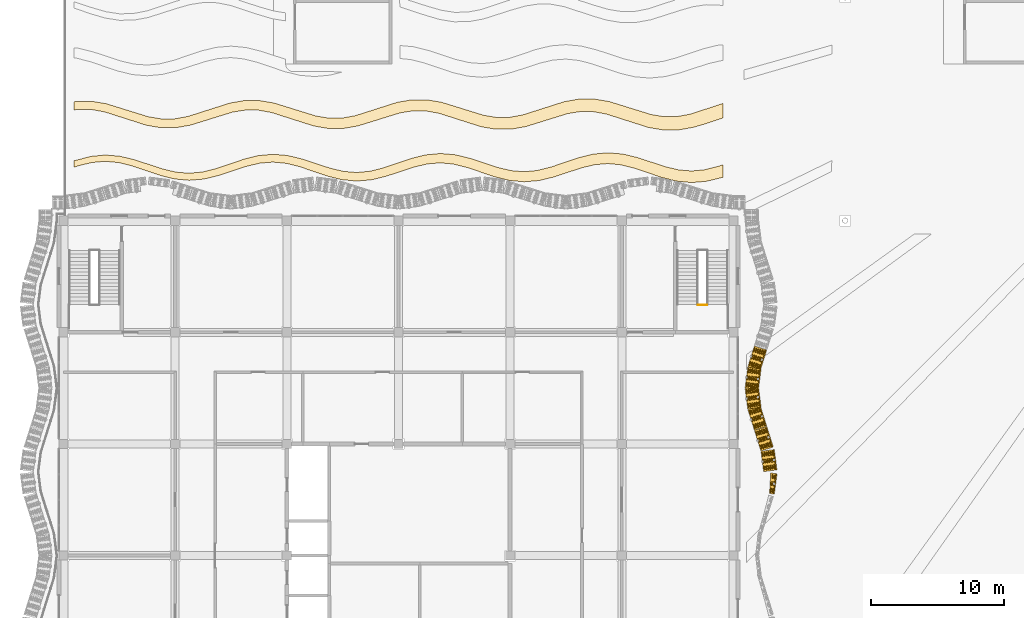
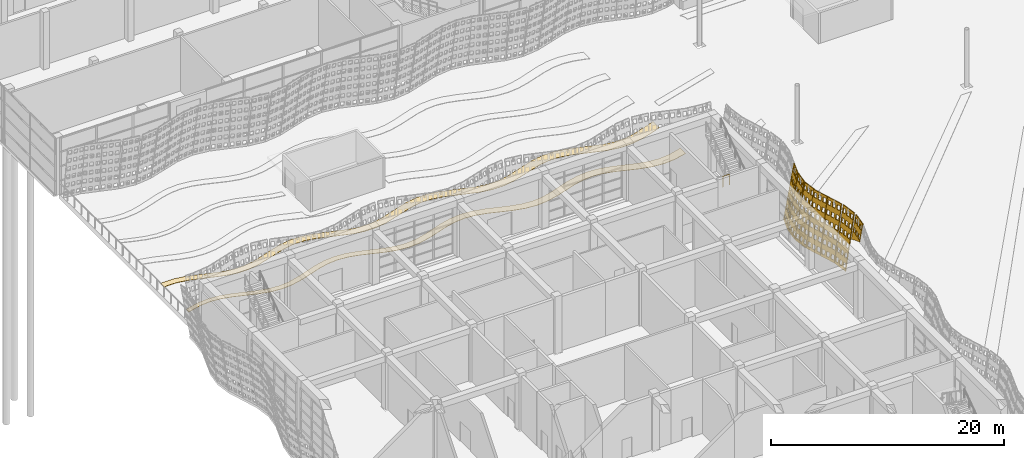
# One storey, part 161 of 210: 9 coverings, 1 railing.
"""IFC4 building model written with IfcOpenShell, lengths in metres."""

from ifc_helpers import new_model, si_unit, direction, frame, origin, origin_2d, place, context, subcontext, project, spatial, polyline, circle, outline, extrude, material, layer, layer_set, type_object, element, save


model = new_model("IFC4")

# Units and contexts
model_context = context("Model", 3, precision=1e-05, world=origin(), true_north=direction((0.0, 1.0)))
body_context = subcontext(model_context, "Body", "Model", "MODEL_VIEW")
ifc_project = project(units=[si_unit("LENGTHUNIT", "METRE"), si_unit("AREAUNIT", "SQUARE_METRE"), si_unit("VOLUMEUNIT", "CUBIC_METRE"), si_unit("PLANEANGLEUNIT", "RADIAN"), si_unit("MASSUNIT", "GRAM", prefix="KILO")], contexts=[model_context])

# Site, building, storey
site_placement = place(None, origin())
site = spatial("IfcSite", under=ifc_project, at=site_placement, CompositionType="ELEMENT")
building_placement = place(site_placement, origin())
building = spatial("IfcBuilding", under=site, at=building_placement, Name="Rain Tree Exposition and Congress Centre", CompositionType="ELEMENT")
storey_placement = place(building_placement, origin())
storey = spatial("IfcBuildingStorey", under=building, at=storey_placement, Name="L00", CompositionType="ELEMENT", Elevation=0.0)

# Coverings
ifc_material_1 = material(Name="Granite paving", Category="masonry")
ifc_layer_1 = layer(ifc_material_1, 0.030029296875)
ifc_layer_set_1 = layer_set([ifc_layer_1], Name="Granite paving")
covering_type_1 = type_object("IfcCoveringType", Name="Granite paving inlay 30", PredefinedType="FLOORING", material=ifc_layer_set_1)
covering_1_placement = place(storey_placement, origin())
element("IfcCovering", 1, at=covering_1_placement, inside=storey, type_object=covering_type_1, Name="Granite paving inlay 29", PredefinedType="FLOORING", context=body_context, shape_type="SweptSolid", body=[
    extrude(outline(polyline([(2.0615234375, 55.2373046875), (0.800048828125, 54.90771484375), (0.800048828125, 54.42626953125), (1.11376953125, 54.529296875), (2.138427734375, 54.77490234375), (3.14990234375, 54.86083984375), (4.159912109375, 54.765869140625), (5.18115234375, 54.51123046875), (7.278564453125, 53.80224609375), (8.356689453125, 53.534912109375), (9.449951171875, 53.432861328125), (10.544677734375, 53.525634765625), (11.626708984375, 53.7841796875), (13.729248046875, 54.475341796875), (14.747802734375, 54.719482421875), (15.75, 54.8046875), (16.750732421875, 54.710205078125), (17.765380859375, 54.457275390625), (19.86279296875, 53.748291015625), (20.947509765625, 53.4794921875), (22.050048828125, 53.376708984375), (23.15380859375, 53.47021484375), (24.2421875, 53.730224609375), (26.344970703125, 54.421142578125), (27.35693359375, 54.6640625), (28.35009765625, 54.748291015625), (29.34130859375, 54.65478515625), (30.349853515625, 54.4033203125), (32.447265625, 53.694091796875), (33.538330078125, 53.423828125), (34.64990234375, 53.3203125), (35.76318359375, 53.41455078125), (36.85791015625, 53.67626953125), (38.96044921875, 54.3671875), (39.96630859375, 54.608642578125), (40.949951171875, 54.692138671875), (41.93212890625, 54.599365234375), (42.934326171875, 54.34912109375), (45.03173828125, 53.64013671875), (46.129150390625, 53.368408203125), (47.25, 53.26416015625), (48.372314453125, 53.359130859375), (49.60009765625, 53.663818359375), (49.60009765625, 54.604248046875), (49.2265625, 54.477783203125), (48.2275390625, 54.228515625), (47.25, 54.135986328125), (46.27099609375, 54.21923828125), (45.268310546875, 54.459716796875), (43.165771484375, 55.15087890625), (42.06787109375, 55.4130859375), (40.949951171875, 55.5078125), (39.833740234375, 55.40380859375), (38.739501953125, 55.1328125), (36.64208984375, 54.423828125), (35.63671875, 54.1728515625), (34.64990234375, 54.07958984375), (33.66162109375, 54.163818359375), (32.652587890625, 54.40576171875), (30.550048828125, 55.0966796875), (29.45849609375, 55.357666015625), (28.35009765625, 55.45166015625), (27.242919921875, 55.348388671875), (26.155029296875, 55.078857421875), (24.0576171875, 54.369873046875), (23.046142578125, 54.117431640625), (22.050048828125, 54.0234375), (21.052490234375, 54.108154296875), (20.037109375, 54.351806640625), (17.9345703125, 55.042724609375), (16.849365234375, 55.302001953125), (15.75, 55.395263671875), (14.652099609375, 55.29296875), (13.57080078125, 55.024658203125), (11.473388671875, 54.315673828125), (10.455322265625, 54.06201171875), (9.449951171875, 53.96728515625), (8.443115234375, 54.052734375), (7.42138671875, 54.297607421875), (5.31884765625, 54.98876953125), (4.239990234375, 55.24658203125), (3.14990234375, 55.339111328125), (2.0615234375, 55.2373046875)])), origin(), (0.0, 0.0, 1.0), 0.030029296875),
])
covering_2_placement = place(storey_placement, origin())
element("IfcCovering", 2, at=covering_2_placement, inside=storey, type_object=covering_type_1, Name="Granite paving inlay 30", PredefinedType="FLOORING", context=body_context, shape_type="SweptSolid", body=[
    extrude(outline(polyline([(2.1279296875, 59.381591796875), (1.025146484375, 59.38232421875), (0.800048828125, 59.34375), (0.800048828125, 58.729736328125), (1.07470703125, 58.77490234375), (2.072021484375, 58.765380859375), (3.076904296875, 58.582275390625), (6.225830078125, 57.578125), (7.322998046875, 57.3896484375), (8.4306640625, 57.390380859375), (9.529541015625, 57.57958984375), (12.6806640625, 58.55517578125), (13.67919921875, 58.718994140625), (14.6669921875, 58.709228515625), (15.663818359375, 58.527587890625), (18.81298828125, 57.5234375), (19.91845703125, 57.33349609375), (21.03564453125, 57.33447265625), (22.142578125, 57.52490234375), (25.293212890625, 58.500244140625), (26.283935546875, 58.662841796875), (27.26171875, 58.6533203125), (28.250732421875, 58.472900390625), (31.400390625, 57.468505859375), (32.513916015625, 57.27734375), (33.640869140625, 57.2783203125), (34.755615234375, 57.47021484375), (37.906005859375, 58.445556640625), (38.888427734375, 58.60693359375), (39.856689453125, 58.597412109375), (40.837646484375, 58.418212890625), (43.987548828125, 57.413818359375), (45.109130859375, 57.221435546875), (46.245849609375, 57.222412109375), (47.368896484375, 57.415283203125), (48.45849609375, 57.738037109375), (49.60009765625, 58.1220703125), (49.60009765625, 59.209716796875), (47.131103515625, 58.4091796875), (46.154052734375, 58.230712890625), (45.19091796875, 58.22119140625), (44.21240234375, 58.3818359375), (41.062255859375, 59.357421875), (39.943359375, 59.549560546875), (38.8115234375, 59.550537109375), (37.694091796875, 59.358642578125), (34.544189453125, 58.3544921875), (33.55908203125, 58.1748046875), (32.586181640625, 58.1650390625), (31.599609375, 58.3271484375), (28.44921875, 59.302490234375), (27.338134765625, 59.49365234375), (26.216064453125, 59.494384765625), (25.106689453125, 59.303955078125), (21.957275390625, 58.2998046875), (20.96435546875, 58.11865234375), (19.981689453125, 58.109130859375), (18.987060546875, 58.272216796875), (15.836181640625, 59.247802734375), (14.733154296875, 59.4375), (13.62060546875, 59.4384765625), (12.519287109375, 59.249267578125), (9.370361328125, 58.2451171875), (8.369384765625, 58.062744140625), (7.377197265625, 58.052978515625), (6.374267578125, 58.217529296875), (3.222900390625, 59.193115234375), (2.1279296875, 59.381591796875)])), origin(), (0.0, 0.0, 1.0), 0.030029296875),
])
ifc_material_2 = material(Name="Perforated terracotta", Category="masonry")
ifc_layer_2 = layer(ifc_material_2, 0.080078125)
ifc_layer_set_2 = layer_set([ifc_layer_2], Name="Perforated terracotta")
covering_type_2 = type_object("IfcCoveringType", Name="Terracotta screen 80", PredefinedType="CLADDING", material=ifc_layer_set_2)
covering_3_placement = place(storey_placement, frame((52.544921875, 29.925048828125, 0.0), z_axis=(-0.978391994594, 0.12841394929, 0.162046174105), x_axis=(-0.130133906157, -0.991496427865, 0.0)))
element("IfcCovering", 3, at=covering_3_placement, inside=storey, type_object=covering_type_2, Name="wing/screen/L00/054", PredefinedType="CLADDING", context=body_context, shape_type="SweptSolid", body=[
    extrude(outline(polyline([(-1.56298828125, 5.813720703125), (-0.02197265625, 5.813720703125), (-0.02197265625, 3.981689453125), (-0.794189453125, 3.66064453125), (-1.56298828125, 3.280517578125), (-1.56298828125, 5.813720703125)]), holes=[polyline([(-0.11962890625, 4.125732421875), (-0.11962890625, 4.594482421875), (-0.43798828125, 4.594482421875), (-0.43798828125, 4.125732421875), (-0.11962890625, 4.125732421875)]), polyline([(-0.11962890625, 5.0947265625), (-0.11962890625, 5.5634765625), (-0.43798828125, 5.5634765625), (-0.43798828125, 5.0947265625), (-0.11962890625, 5.0947265625)]), polyline([(-0.63330078125, 4.125732421875), (-0.63330078125, 4.594482421875), (-0.95166015625, 4.594482421875), (-0.95166015625, 4.125732421875), (-0.63330078125, 4.125732421875)]), polyline([(-0.63330078125, 5.0947265625), (-0.63330078125, 5.5634765625), (-0.95166015625, 5.5634765625), (-0.95166015625, 5.0947265625), (-0.63330078125, 5.0947265625)]), polyline([(-1.146728515625, 4.125732421875), (-1.146728515625, 4.594482421875), (-1.46533203125, 4.594482421875), (-1.46533203125, 4.125732421875), (-1.146728515625, 4.125732421875)]), polyline([(-1.146728515625, 5.0947265625), (-1.146728515625, 5.5634765625), (-1.46533203125, 5.5634765625), (-1.46533203125, 5.0947265625), (-1.146728515625, 5.0947265625)])]), origin(), (0.0, 0.0, 1.0), 0.079833984375),
])
covering_4_placement = place(storey_placement, frame((52.75, 31.5, 0.0), z_axis=(-0.978522114732, -0.1280309309, 0.161562841373), x_axis=(0.129735338481, -0.991548658387, 0.0)))
element("IfcCovering", 4, at=covering_4_placement, inside=storey, type_object=covering_type_2, Name="wing/screen/L00/055", PredefinedType="CLADDING", context=body_context, shape_type="SweptSolid", body=[
    extrude(outline(polyline([(-0.025390625, 5.813720703125), (-0.025390625, 0.0), (-1.56640625, 0.0), (-1.56640625, 5.813720703125), (-0.025390625, 5.813720703125)]), holes=[polyline([(-0.123046875, 0.25), (-0.123046875, 0.718994140625), (-0.44140625, 0.718994140625), (-0.44140625, 0.25), (-0.123046875, 0.25)]), polyline([(-0.123046875, 1.218994140625), (-0.123046875, 1.687744140625), (-0.44140625, 1.687744140625), (-0.44140625, 1.218994140625), (-0.123046875, 1.218994140625)]), polyline([(-0.123046875, 2.18798828125), (-0.123046875, 2.65673828125), (-0.44140625, 2.65673828125), (-0.44140625, 2.18798828125), (-0.123046875, 2.18798828125)]), polyline([(-0.123046875, 3.15673828125), (-0.123046875, 3.625732421875), (-0.44140625, 3.625732421875), (-0.44140625, 3.15673828125), (-0.123046875, 3.15673828125)]), polyline([(-0.123046875, 4.125732421875), (-0.123046875, 4.594482421875), (-0.44140625, 4.594482421875), (-0.44140625, 4.125732421875), (-0.123046875, 4.125732421875)]), polyline([(-0.123046875, 5.0947265625), (-0.123046875, 5.5634765625), (-0.44140625, 5.5634765625), (-0.44140625, 5.0947265625), (-0.123046875, 5.0947265625)]), polyline([(-0.63671875, 0.25), (-0.63671875, 0.718994140625), (-0.955078125, 0.718994140625), (-0.955078125, 0.25), (-0.63671875, 0.25)]), polyline([(-0.63671875, 1.218994140625), (-0.63671875, 1.687744140625), (-0.955078125, 1.687744140625), (-0.955078125, 1.218994140625), (-0.63671875, 1.218994140625)]), polyline([(-0.63671875, 2.18798828125), (-0.63671875, 2.65673828125), (-0.955078125, 2.65673828125), (-0.955078125, 2.18798828125), (-0.63671875, 2.18798828125)]), polyline([(-0.63671875, 3.15673828125), (-0.63671875, 3.625732421875), (-0.955078125, 3.625732421875), (-0.955078125, 3.15673828125), (-0.63671875, 3.15673828125)]), polyline([(-0.63671875, 4.125732421875), (-0.63671875, 4.594482421875), (-0.955078125, 4.594482421875), (-0.955078125, 4.125732421875), (-0.63671875, 4.125732421875)]), polyline([(-0.63671875, 5.0947265625), (-0.63671875, 5.5634765625), (-0.955078125, 5.5634765625), (-0.955078125, 5.0947265625), (-0.63671875, 5.0947265625)]), polyline([(-1.150146484375, 0.25), (-1.150146484375, 0.718994140625), (-1.46875, 0.718994140625), (-1.46875, 0.25), (-1.150146484375, 0.25)]), polyline([(-1.150146484375, 1.218994140625), (-1.150146484375, 1.687744140625), (-1.46875, 1.687744140625), (-1.46875, 1.218994140625), (-1.150146484375, 1.218994140625)]), polyline([(-1.150146484375, 2.18798828125), (-1.150146484375, 2.65673828125), (-1.46875, 2.65673828125), (-1.46875, 2.18798828125), (-1.150146484375, 2.18798828125)]), polyline([(-1.150146484375, 3.15673828125), (-1.150146484375, 3.625732421875), (-1.46875, 3.625732421875), (-1.46875, 3.15673828125), (-1.150146484375, 3.15673828125)]), polyline([(-1.150146484375, 4.125732421875), (-1.150146484375, 4.594482421875), (-1.46875, 4.594482421875), (-1.46875, 4.125732421875), (-1.150146484375, 4.125732421875)]), polyline([(-1.150146484375, 5.0947265625), (-1.150146484375, 5.5634765625), (-1.46875, 5.5634765625), (-1.46875, 5.0947265625), (-1.150146484375, 5.0947265625)])]), origin(), (0.0, 0.0, 1.0), 0.080078125),
])
covering_5_placement = place(storey_placement, frame((52.544921875, 33.074951171875, 0.0), z_axis=(-0.942480618158, -0.295859611525, 0.155555053482), x_axis=(0.29950542383, -0.954094597562, 0.0)))
element("IfcCovering", 5, at=covering_5_placement, inside=storey, type_object=covering_type_2, Name="wing/screen/L00/056", PredefinedType="CLADDING", context=body_context, shape_type="SweptSolid", body=[
    extrude(outline(polyline([(-0.02197265625, 5.808349609375), (-0.02197265625, 0.0), (-1.635986328125, 0.0), (-1.635986328125, 5.808349609375), (-0.02197265625, 5.808349609375)]), holes=[polyline([(-0.124267578125, 0.249755859375), (-0.124267578125, 0.71826171875), (-0.457763671875, 0.71826171875), (-0.457763671875, 0.249755859375), (-0.124267578125, 0.249755859375)]), polyline([(-0.124267578125, 1.218017578125), (-0.124267578125, 1.686279296875), (-0.457763671875, 1.686279296875), (-0.457763671875, 1.218017578125), (-0.124267578125, 1.218017578125)]), polyline([(-0.124267578125, 2.18603515625), (-0.124267578125, 2.654296875), (-0.457763671875, 2.654296875), (-0.457763671875, 2.18603515625), (-0.124267578125, 2.18603515625)]), polyline([(-0.124267578125, 3.154052734375), (-0.124267578125, 3.62255859375), (-0.457763671875, 3.62255859375), (-0.457763671875, 3.154052734375), (-0.124267578125, 3.154052734375)]), polyline([(-0.124267578125, 4.1220703125), (-0.124267578125, 4.590576171875), (-0.457763671875, 4.590576171875), (-0.457763671875, 4.1220703125), (-0.124267578125, 4.1220703125)]), polyline([(-0.124267578125, 5.090087890625), (-0.124267578125, 5.55859375), (-0.457763671875, 5.55859375), (-0.457763671875, 5.090087890625), (-0.124267578125, 5.090087890625)]), polyline([(-0.662109375, 0.249755859375), (-0.662109375, 0.71826171875), (-0.995849609375, 0.71826171875), (-0.995849609375, 0.249755859375), (-0.662109375, 0.249755859375)]), polyline([(-0.662109375, 1.218017578125), (-0.662109375, 1.686279296875), (-0.995849609375, 1.686279296875), (-0.995849609375, 1.218017578125), (-0.662109375, 1.218017578125)]), polyline([(-0.662109375, 2.18603515625), (-0.662109375, 2.654296875), (-0.995849609375, 2.654296875), (-0.995849609375, 2.18603515625), (-0.662109375, 2.18603515625)]), polyline([(-0.662109375, 3.154052734375), (-0.662109375, 3.62255859375), (-0.995849609375, 3.62255859375), (-0.995849609375, 3.154052734375), (-0.662109375, 3.154052734375)]), polyline([(-0.662109375, 4.1220703125), (-0.662109375, 4.590576171875), (-0.995849609375, 4.590576171875), (-0.995849609375, 4.1220703125), (-0.662109375, 4.1220703125)]), polyline([(-0.662109375, 5.090087890625), (-0.662109375, 5.55859375), (-0.995849609375, 5.55859375), (-0.995849609375, 5.090087890625), (-0.662109375, 5.090087890625)]), polyline([(-1.2001953125, 0.249755859375), (-1.2001953125, 0.71826171875), (-1.53369140625, 0.71826171875), (-1.53369140625, 0.249755859375), (-1.2001953125, 0.249755859375)]), polyline([(-1.2001953125, 1.218017578125), (-1.2001953125, 1.686279296875), (-1.53369140625, 1.686279296875), (-1.53369140625, 1.218017578125), (-1.2001953125, 1.218017578125)]), polyline([(-1.2001953125, 2.18603515625), (-1.2001953125, 2.654296875), (-1.53369140625, 2.654296875), (-1.53369140625, 2.18603515625), (-1.2001953125, 2.18603515625)]), polyline([(-1.2001953125, 3.154052734375), (-1.2001953125, 3.62255859375), (-1.53369140625, 3.62255859375), (-1.53369140625, 3.154052734375), (-1.2001953125, 3.154052734375)]), polyline([(-1.2001953125, 4.1220703125), (-1.2001953125, 4.590576171875), (-1.53369140625, 4.590576171875), (-1.53369140625, 4.1220703125), (-1.2001953125, 4.1220703125)]), polyline([(-1.2001953125, 5.090087890625), (-1.2001953125, 5.55859375), (-1.53369140625, 5.55859375), (-1.53369140625, 5.090087890625), (-1.2001953125, 5.090087890625)])]), origin(), (0.0, 0.0, 1.0), 0.080078125),
])
covering_6_placement = place(storey_placement, frame((52.050048828125, 34.64990234375, 0.0), z_axis=(-0.942480618158, -0.295859611525, 0.155555053482), x_axis=(0.29950542383, -0.954094597562, 0.0)))
element("IfcCovering", 6, at=covering_6_placement, inside=storey, type_object=covering_type_2, Name="wing/screen/L00/057", PredefinedType="CLADDING", context=body_context, shape_type="SweptSolid", body=[
    extrude(outline(polyline([(-0.014892578125, 5.808349609375), (-0.014892578125, 0.0), (-1.635986328125, 0.0), (-1.635986328125, 5.808349609375), (-0.014892578125, 5.808349609375)]), holes=[polyline([(-0.11767578125, 0.249755859375), (-0.11767578125, 0.71826171875), (-0.45263671875, 0.71826171875), (-0.45263671875, 0.249755859375), (-0.11767578125, 0.249755859375)]), polyline([(-0.11767578125, 1.218017578125), (-0.11767578125, 1.686279296875), (-0.45263671875, 1.686279296875), (-0.45263671875, 1.218017578125), (-0.11767578125, 1.218017578125)]), polyline([(-0.11767578125, 2.18603515625), (-0.11767578125, 2.654296875), (-0.45263671875, 2.654296875), (-0.45263671875, 2.18603515625), (-0.11767578125, 2.18603515625)]), polyline([(-0.11767578125, 3.154052734375), (-0.11767578125, 3.62255859375), (-0.45263671875, 3.62255859375), (-0.45263671875, 3.154052734375), (-0.11767578125, 3.154052734375)]), polyline([(-0.11767578125, 4.1220703125), (-0.11767578125, 4.590576171875), (-0.45263671875, 4.590576171875), (-0.45263671875, 4.1220703125), (-0.11767578125, 4.1220703125)]), polyline([(-0.11767578125, 5.090087890625), (-0.11767578125, 5.55859375), (-0.45263671875, 5.55859375), (-0.45263671875, 5.090087890625), (-0.11767578125, 5.090087890625)]), polyline([(-0.657958984375, 0.249755859375), (-0.657958984375, 0.71826171875), (-0.992919921875, 0.71826171875), (-0.992919921875, 0.249755859375), (-0.657958984375, 0.249755859375)]), polyline([(-0.657958984375, 1.218017578125), (-0.657958984375, 1.686279296875), (-0.992919921875, 1.686279296875), (-0.992919921875, 1.218017578125), (-0.657958984375, 1.218017578125)]), polyline([(-0.657958984375, 2.18603515625), (-0.657958984375, 2.654296875), (-0.992919921875, 2.654296875), (-0.992919921875, 2.18603515625), (-0.657958984375, 2.18603515625)]), polyline([(-0.657958984375, 3.154052734375), (-0.657958984375, 3.62255859375), (-0.992919921875, 3.62255859375), (-0.992919921875, 3.154052734375), (-0.657958984375, 3.154052734375)]), polyline([(-0.657958984375, 4.1220703125), (-0.657958984375, 4.590576171875), (-0.992919921875, 4.590576171875), (-0.992919921875, 4.1220703125), (-0.657958984375, 4.1220703125)]), polyline([(-0.657958984375, 5.090087890625), (-0.657958984375, 5.55859375), (-0.992919921875, 5.55859375), (-0.992919921875, 5.090087890625), (-0.657958984375, 5.090087890625)]), polyline([(-1.1982421875, 0.249755859375), (-1.1982421875, 0.71826171875), (-1.533203125, 0.71826171875), (-1.533203125, 0.249755859375), (-1.1982421875, 0.249755859375)]), polyline([(-1.1982421875, 1.218017578125), (-1.1982421875, 1.686279296875), (-1.533203125, 1.686279296875), (-1.533203125, 1.218017578125), (-1.1982421875, 1.218017578125)]), polyline([(-1.1982421875, 2.18603515625), (-1.1982421875, 2.654296875), (-1.533203125, 2.654296875), (-1.533203125, 2.18603515625), (-1.1982421875, 2.18603515625)]), polyline([(-1.1982421875, 3.154052734375), (-1.1982421875, 3.62255859375), (-1.533203125, 3.62255859375), (-1.533203125, 3.154052734375), (-1.1982421875, 3.154052734375)]), polyline([(-1.1982421875, 4.1220703125), (-1.1982421875, 4.590576171875), (-1.533203125, 4.590576171875), (-1.533203125, 4.1220703125), (-1.1982421875, 4.1220703125)]), polyline([(-1.1982421875, 5.090087890625), (-1.1982421875, 5.55859375), (-1.533203125, 5.55859375), (-1.533203125, 5.090087890625), (-1.1982421875, 5.090087890625)])]), origin(), (0.0, 0.0, 1.0), 0.080078125),
])
covering_7_placement = place(storey_placement, frame((51.554931640625, 36.22509765625, 0.0), z_axis=(-0.978391994594, -0.12841394929, 0.162046174105), x_axis=(0.130133906157, -0.991496427865, 0.0)))
element("IfcCovering", 7, at=covering_7_placement, inside=storey, type_object=covering_type_2, Name="wing/screen/L00/058", PredefinedType="CLADDING", context=body_context, shape_type="SweptSolid", body=[
    extrude(outline(polyline([(-0.014892578125, 5.813720703125), (-0.014892578125, 0.0), (-1.5732421875, 0.0), (-1.5732421875, 5.813720703125), (-0.014892578125, 5.813720703125)]), holes=[polyline([(-0.11376953125, 0.25), (-0.11376953125, 0.718994140625), (-0.435791015625, 0.718994140625), (-0.435791015625, 0.25), (-0.11376953125, 0.25)]), polyline([(-0.11376953125, 1.218994140625), (-0.11376953125, 1.687744140625), (-0.435791015625, 1.687744140625), (-0.435791015625, 1.218994140625), (-0.11376953125, 1.218994140625)]), polyline([(-0.11376953125, 2.18798828125), (-0.11376953125, 2.65673828125), (-0.435791015625, 2.65673828125), (-0.435791015625, 2.18798828125), (-0.11376953125, 2.18798828125)]), polyline([(-0.11376953125, 3.15673828125), (-0.11376953125, 3.625732421875), (-0.435791015625, 3.625732421875), (-0.435791015625, 3.15673828125), (-0.11376953125, 3.15673828125)]), polyline([(-0.11376953125, 4.125732421875), (-0.11376953125, 4.594482421875), (-0.435791015625, 4.594482421875), (-0.435791015625, 4.125732421875), (-0.11376953125, 4.125732421875)]), polyline([(-0.11376953125, 5.0947265625), (-0.11376953125, 5.5634765625), (-0.435791015625, 5.5634765625), (-0.435791015625, 5.0947265625), (-0.11376953125, 5.0947265625)]), polyline([(-0.633056640625, 0.25), (-0.633056640625, 0.718994140625), (-0.955078125, 0.718994140625), (-0.955078125, 0.25), (-0.633056640625, 0.25)]), polyline([(-0.633056640625, 1.218994140625), (-0.633056640625, 1.687744140625), (-0.955078125, 1.687744140625), (-0.955078125, 1.218994140625), (-0.633056640625, 1.218994140625)]), polyline([(-0.633056640625, 2.18798828125), (-0.633056640625, 2.65673828125), (-0.955078125, 2.65673828125), (-0.955078125, 2.18798828125), (-0.633056640625, 2.18798828125)]), polyline([(-0.633056640625, 3.15673828125), (-0.633056640625, 3.625732421875), (-0.955078125, 3.625732421875), (-0.955078125, 3.15673828125), (-0.633056640625, 3.15673828125)]), polyline([(-0.633056640625, 4.125732421875), (-0.633056640625, 4.594482421875), (-0.955078125, 4.594482421875), (-0.955078125, 4.125732421875), (-0.633056640625, 4.125732421875)]), polyline([(-0.633056640625, 5.0947265625), (-0.633056640625, 5.5634765625), (-0.955078125, 5.5634765625), (-0.955078125, 5.0947265625), (-0.633056640625, 5.0947265625)]), polyline([(-1.152587890625, 0.25), (-1.152587890625, 0.718994140625), (-1.474609375, 0.718994140625), (-1.474609375, 0.25), (-1.152587890625, 0.25)]), polyline([(-1.152587890625, 1.218994140625), (-1.152587890625, 1.687744140625), (-1.474609375, 1.687744140625), (-1.474609375, 1.218994140625), (-1.152587890625, 1.218994140625)]), polyline([(-1.152587890625, 2.18798828125), (-1.152587890625, 2.65673828125), (-1.474609375, 2.65673828125), (-1.474609375, 2.18798828125), (-1.152587890625, 2.18798828125)]), polyline([(-1.152587890625, 3.15673828125), (-1.152587890625, 3.625732421875), (-1.474609375, 3.625732421875), (-1.474609375, 3.15673828125), (-1.152587890625, 3.15673828125)]), polyline([(-1.152587890625, 4.125732421875), (-1.152587890625, 4.594482421875), (-1.474609375, 4.594482421875), (-1.474609375, 4.125732421875), (-1.152587890625, 4.125732421875)]), polyline([(-1.152587890625, 5.0947265625), (-1.152587890625, 5.5634765625), (-1.474609375, 5.5634765625), (-1.474609375, 5.0947265625), (-1.152587890625, 5.0947265625)])]), origin(), (0.0, 0.0, 1.0), 0.079833984375),
])
covering_8_placement = place(storey_placement, frame((51.35009765625, 37.800048828125, 0.0), z_axis=(-0.978522114732, 0.1280309309, 0.161562841373), x_axis=(-0.129735338481, -0.991548658387, 0.0)))
element("IfcCovering", 8, at=covering_8_placement, inside=storey, type_object=covering_type_2, Name="wing/screen/L00/059", PredefinedType="CLADDING", context=body_context, shape_type="SweptSolid", body=[
    extrude(outline(polyline([(-0.014892578125, 5.813720703125), (-0.014892578125, 0.0), (-1.5732421875, 0.0), (-1.5732421875, 5.813720703125), (-0.014892578125, 5.813720703125)]), holes=[polyline([(-0.11376953125, 0.25), (-0.11376953125, 0.718994140625), (-0.435791015625, 0.718994140625), (-0.435791015625, 0.25), (-0.11376953125, 0.25)]), polyline([(-0.11376953125, 1.218994140625), (-0.11376953125, 1.687744140625), (-0.435791015625, 1.687744140625), (-0.435791015625, 1.218994140625), (-0.11376953125, 1.218994140625)]), polyline([(-0.11376953125, 2.18798828125), (-0.11376953125, 2.65673828125), (-0.435791015625, 2.65673828125), (-0.435791015625, 2.18798828125), (-0.11376953125, 2.18798828125)]), polyline([(-0.11376953125, 3.15673828125), (-0.11376953125, 3.625732421875), (-0.435791015625, 3.625732421875), (-0.435791015625, 3.15673828125), (-0.11376953125, 3.15673828125)]), polyline([(-0.11376953125, 4.125732421875), (-0.11376953125, 4.594482421875), (-0.435791015625, 4.594482421875), (-0.435791015625, 4.125732421875), (-0.11376953125, 4.125732421875)]), polyline([(-0.11376953125, 5.0947265625), (-0.11376953125, 5.5634765625), (-0.435791015625, 5.5634765625), (-0.435791015625, 5.0947265625), (-0.11376953125, 5.0947265625)]), polyline([(-0.633056640625, 0.25), (-0.633056640625, 0.718994140625), (-0.955078125, 0.718994140625), (-0.955078125, 0.25), (-0.633056640625, 0.25)]), polyline([(-0.633056640625, 1.218994140625), (-0.633056640625, 1.687744140625), (-0.955078125, 1.687744140625), (-0.955078125, 1.218994140625), (-0.633056640625, 1.218994140625)]), polyline([(-0.633056640625, 2.18798828125), (-0.633056640625, 2.65673828125), (-0.955078125, 2.65673828125), (-0.955078125, 2.18798828125), (-0.633056640625, 2.18798828125)]), polyline([(-0.633056640625, 3.15673828125), (-0.633056640625, 3.625732421875), (-0.955078125, 3.625732421875), (-0.955078125, 3.15673828125), (-0.633056640625, 3.15673828125)]), polyline([(-0.633056640625, 4.125732421875), (-0.633056640625, 4.594482421875), (-0.955078125, 4.594482421875), (-0.955078125, 4.125732421875), (-0.633056640625, 4.125732421875)]), polyline([(-0.633056640625, 5.0947265625), (-0.633056640625, 5.5634765625), (-0.955078125, 5.5634765625), (-0.955078125, 5.0947265625), (-0.633056640625, 5.0947265625)]), polyline([(-1.152587890625, 0.25), (-1.152587890625, 0.718994140625), (-1.474609375, 0.718994140625), (-1.474609375, 0.25), (-1.152587890625, 0.25)]), polyline([(-1.152587890625, 1.218994140625), (-1.152587890625, 1.687744140625), (-1.474609375, 1.687744140625), (-1.474609375, 1.218994140625), (-1.152587890625, 1.218994140625)]), polyline([(-1.152587890625, 2.18798828125), (-1.152587890625, 2.65673828125), (-1.474609375, 2.65673828125), (-1.474609375, 2.18798828125), (-1.152587890625, 2.18798828125)]), polyline([(-1.152587890625, 3.15673828125), (-1.152587890625, 3.625732421875), (-1.474609375, 3.625732421875), (-1.474609375, 3.15673828125), (-1.152587890625, 3.15673828125)]), polyline([(-1.152587890625, 4.125732421875), (-1.152587890625, 4.594482421875), (-1.474609375, 4.594482421875), (-1.474609375, 4.125732421875), (-1.152587890625, 4.125732421875)]), polyline([(-1.152587890625, 5.0947265625), (-1.152587890625, 5.5634765625), (-1.474609375, 5.5634765625), (-1.474609375, 5.0947265625), (-1.152587890625, 5.0947265625)])]), origin(), (0.0, 0.0, 1.0), 0.080078125),
])
covering_9_placement = place(storey_placement, frame((51.554931640625, 39.375, 0.0), z_axis=(-0.942480618158, 0.295859611525, 0.155555053482), x_axis=(-0.29950542383, -0.954094597562, 0.0)))
element("IfcCovering", 9, at=covering_9_placement, inside=storey, type_object=covering_type_2, Name="wing/screen/L00/060", PredefinedType="CLADDING", context=body_context, shape_type="SweptSolid", body=[
    extrude(outline(polyline([(-0.014892578125, 5.808349609375), (-0.014892578125, 0.0), (-1.635986328125, 0.0), (-1.635986328125, 5.808349609375), (-0.014892578125, 5.808349609375)]), holes=[polyline([(-0.11767578125, 0.249755859375), (-0.11767578125, 0.71826171875), (-0.45263671875, 0.71826171875), (-0.45263671875, 0.249755859375), (-0.11767578125, 0.249755859375)]), polyline([(-0.11767578125, 1.218017578125), (-0.11767578125, 1.686279296875), (-0.45263671875, 1.686279296875), (-0.45263671875, 1.218017578125), (-0.11767578125, 1.218017578125)]), polyline([(-0.11767578125, 2.18603515625), (-0.11767578125, 2.654296875), (-0.45263671875, 2.654296875), (-0.45263671875, 2.18603515625), (-0.11767578125, 2.18603515625)]), polyline([(-0.11767578125, 3.154052734375), (-0.11767578125, 3.62255859375), (-0.45263671875, 3.62255859375), (-0.45263671875, 3.154052734375), (-0.11767578125, 3.154052734375)]), polyline([(-0.11767578125, 4.1220703125), (-0.11767578125, 4.590576171875), (-0.45263671875, 4.590576171875), (-0.45263671875, 4.1220703125), (-0.11767578125, 4.1220703125)]), polyline([(-0.11767578125, 5.090087890625), (-0.11767578125, 5.55859375), (-0.45263671875, 5.55859375), (-0.45263671875, 5.090087890625), (-0.11767578125, 5.090087890625)]), polyline([(-0.657958984375, 0.249755859375), (-0.657958984375, 0.71826171875), (-0.992919921875, 0.71826171875), (-0.992919921875, 0.249755859375), (-0.657958984375, 0.249755859375)]), polyline([(-0.657958984375, 1.218017578125), (-0.657958984375, 1.686279296875), (-0.992919921875, 1.686279296875), (-0.992919921875, 1.218017578125), (-0.657958984375, 1.218017578125)]), polyline([(-0.657958984375, 2.18603515625), (-0.657958984375, 2.654296875), (-0.992919921875, 2.654296875), (-0.992919921875, 2.18603515625), (-0.657958984375, 2.18603515625)]), polyline([(-0.657958984375, 3.154052734375), (-0.657958984375, 3.62255859375), (-0.992919921875, 3.62255859375), (-0.992919921875, 3.154052734375), (-0.657958984375, 3.154052734375)]), polyline([(-0.657958984375, 4.1220703125), (-0.657958984375, 4.590576171875), (-0.992919921875, 4.590576171875), (-0.992919921875, 4.1220703125), (-0.657958984375, 4.1220703125)]), polyline([(-0.657958984375, 5.090087890625), (-0.657958984375, 5.55859375), (-0.992919921875, 5.55859375), (-0.992919921875, 5.090087890625), (-0.657958984375, 5.090087890625)]), polyline([(-1.1982421875, 0.249755859375), (-1.1982421875, 0.71826171875), (-1.533203125, 0.71826171875), (-1.533203125, 0.249755859375), (-1.1982421875, 0.249755859375)]), polyline([(-1.1982421875, 1.218017578125), (-1.1982421875, 1.686279296875), (-1.533203125, 1.686279296875), (-1.533203125, 1.218017578125), (-1.1982421875, 1.218017578125)]), polyline([(-1.1982421875, 2.18603515625), (-1.1982421875, 2.654296875), (-1.533203125, 2.654296875), (-1.533203125, 2.18603515625), (-1.1982421875, 2.18603515625)]), polyline([(-1.1982421875, 3.154052734375), (-1.1982421875, 3.62255859375), (-1.533203125, 3.62255859375), (-1.533203125, 3.154052734375), (-1.1982421875, 3.154052734375)]), polyline([(-1.1982421875, 4.1220703125), (-1.1982421875, 4.590576171875), (-1.533203125, 4.590576171875), (-1.533203125, 4.1220703125), (-1.1982421875, 4.1220703125)]), polyline([(-1.1982421875, 5.090087890625), (-1.1982421875, 5.55859375), (-1.533203125, 5.55859375), (-1.533203125, 5.090087890625), (-1.1982421875, 5.090087890625)])]), origin(), (0.0, 0.0, 1.0), 0.080078125),
])

# Railing
ifc_material_3 = material(Name="Steel S355J2H", Category="steel")
railing_type = type_object("IfcRailingType", Name="Wing stair guard 1100", PredefinedType="GUARDRAIL", material=ifc_material_3)
railing_placement = place(storey_placement, frame((47.75, 44.050048828125, 3.0)))
element("IfcRailing", 10, at=railing_placement, inside=storey, type_object=railing_type, Name="L00 ST-W4 stair guard 2", PredefinedType="GUARDRAIL", context=body_context, shape_type="SweptSolid", body=[
    extrude(circle(Radius=0.02392578125, at=origin_2d()), frame((0.0, 0.0, 1.076171875), z_axis=(1.0, 0.0, 0.0), x_axis=(0.0, 1.0, 0.0)), (0.0, 0.0, 1.0), 0.64990234375),
    extrude(circle(Radius=0.02099609375, at=origin_2d()), origin(), (0.0, 0.0, 1.0), 1.052001953125),
    extrude(circle(Radius=0.02099609375, at=origin_2d()), frame((0.64990234375, 0.0, 0.0)), (0.0, 0.0, 1.0), 1.052001953125),
])

save(model, "model.ifc")
